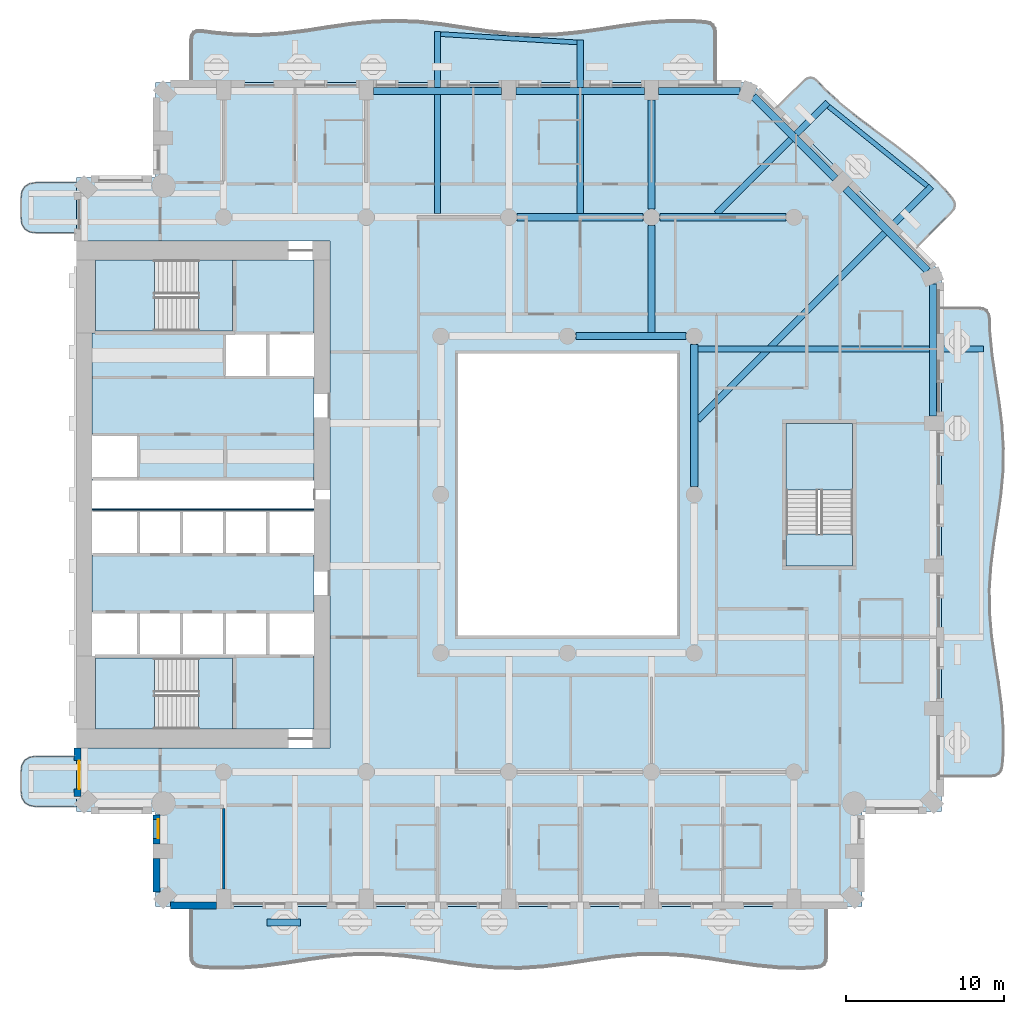
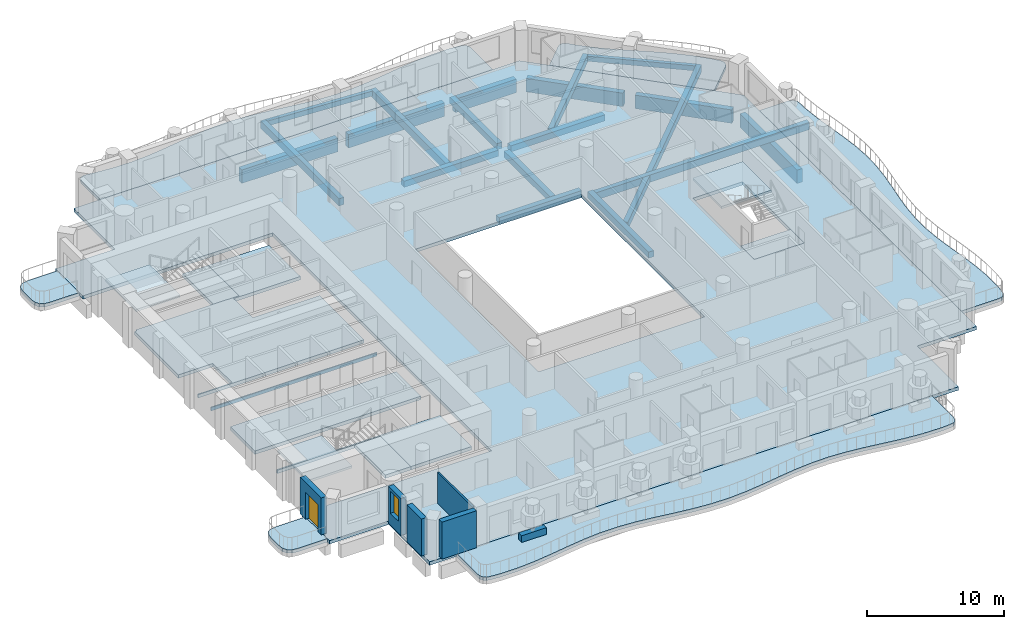
# One storey, part 2 of 19: 19 beams, 17 slabs, 6 walls, 1 door, 1 window, 2 openings, 3 elements without a shape of their own.
"""IFC4 building model written with IfcOpenShell, lengths in metres."""

from ifc_helpers import new_model, si_unit, direction, frame, frame_2d, origin, origin_2d, place, context, subcontext, project, spatial, polyline, rectangle, outline, extrude, material, layer, layer_set, material_profile, profile_set, type_object, element, fill, aggregate, save


model = new_model("IFC4")

# Units and contexts
model_context = context("Model", 3, precision=1e-05, world=origin(), true_north=direction((0.0, 1.0)))
body_context = subcontext(model_context, "Body", "Model", "MODEL_VIEW")
ifc_project = project(units=[si_unit("LENGTHUNIT", "METRE"), si_unit("AREAUNIT", "SQUARE_METRE"), si_unit("VOLUMEUNIT", "CUBIC_METRE"), si_unit("PLANEANGLEUNIT", "RADIAN"), si_unit("MASSUNIT", "GRAM", prefix="KILO")], contexts=[model_context])

# Site, building, storey
site_placement = place(None, origin())
site = spatial("IfcSite", under=ifc_project, at=site_placement, CompositionType="ELEMENT")
building_placement = place(site_placement, origin())
building = spatial("IfcBuilding", under=site, at=building_placement, Name="Cypress Arch Tower", CompositionType="ELEMENT")
storey_placement = place(building_placement, frame((0.0, 0.0, 138.300048828125)))
storey = spatial("IfcBuildingStorey", under=building, at=storey_placement, Name="L30", CompositionType="ELEMENT", Elevation=138.300048828125)

# Beams
ifc_material_1 = material(Name="Concrete C50/60", Category="concrete")
ifc_material_profile_1 = material_profile(ifc_material_1, rectangle(XDim=0.300048828125, YDim=0.449951171875, at=origin_2d()), Name="RC 300x450")
ifc_profile_set_1 = profile_set([ifc_material_profile_1], Name="Concrete C50/60")
beam_type_1 = type_object("IfcBeamType", Name="Balcony edge beam RC 300x450 Concrete C50/60", PredefinedType="BEAM", material=ifc_profile_set_1)
beam_1_placement = place(storey_placement, frame((23.702880859375, 19.473388671875, -0.525146484375), z_axis=(-0.77853414424, 0.627602251631, 0.0), x_axis=(-0.627602251631, -0.77853414424, 0.0)))
element("IfcBeam", 1, at=beam_1_placement, inside=storey, type_object=beam_type_1, Name="Balcony edge beam L30 A07", PredefinedType="BEAM", context=body_context, shape_type="SweptSolid", body=[
    extrude(rectangle(XDim=0.300048828125, YDim=0.449951171875, at=origin_2d()), origin(), (0.0, 0.0, 1.0), 8.0068359375),
])
beam_2_placement = place(storey_placement, frame((1.60009765625, 28.536865234375, -0.525146484375), z_axis=(-0.998164917235, 0.060554091527, 0.0), x_axis=(-0.060554091527, -0.998164917235, 0.0)))
element("IfcBeam", 2, at=beam_2_placement, inside=storey, type_object=beam_type_1, Name="Balcony edge beam L30 A08", PredefinedType="BEAM", context=body_context, shape_type="SweptSolid", body=[
    extrude(rectangle(XDim=0.300048828125, YDim=0.449951171875, at=origin_2d()), origin(), (0.0, 0.0, 1.0), 8.615966796875),
])
ifc_material_2 = material(Name="Concrete C50/60", Category="concrete")
ifc_material_profile_2 = material_profile(ifc_material_2, rectangle(XDim=0.39990234375, YDim=0.64990234375, at=origin_2d()), Name="RC 400x650")
ifc_profile_set_2 = profile_set([ifc_material_profile_2], Name="Concrete C50/60")
beam_type_2 = type_object("IfcBeamType", Name="Cantilever beam RC 400x650 Concrete C50/60", PredefinedType="BEAM", material=ifc_profile_set_2)
beam_3_placement = place(storey_placement, frame((9.22509765625, 9.18798828125, -0.625), z_axis=(1.0, 0.0, 0.0), x_axis=(0.0, 1.0, 0.0)))
element("IfcBeam", 3, at=beam_3_placement, inside=storey, type_object=beam_type_2, Name="Cantilever beam L30 A06 2", PredefinedType="BEAM", context=body_context, shape_type="SweptSolid", body=[
    extrude(rectangle(XDim=0.39990234375, YDim=0.64990234375, at=origin_2d()), origin(), (0.0, 0.0, 1.0), 18.022216796875),
])
beam_4_placement = place(storey_placement, frame((9.22509765625, 4.712890625, -0.625), z_axis=(0.707100919332, 0.707112642993, 0.0), x_axis=(-0.707112642993, 0.707100919332, 0.0)))
element("IfcBeam", 4, at=beam_4_placement, inside=storey, type_object=beam_type_2, Name="Cantilever beam L30 A07 1", PredefinedType="BEAM", context=body_context, shape_type="SweptSolid", body=[
    extrude(rectangle(XDim=0.39990234375, YDim=0.64990234375, at=origin_2d()), origin(), (0.0, 0.0, 1.0), 20.82470703125),
])
beam_5_placement = place(storey_placement, frame((10.412841796875, 17.72509765625, -0.625), z_axis=(0.707106781187, 0.707106781187, 0.0), x_axis=(-0.707106781187, 0.707106781187, 0.0)))
element("IfcBeam", 5, at=beam_5_placement, inside=storey, type_object=beam_type_2, Name="Cantilever beam L30 A07 2", PredefinedType="BEAM", context=body_context, shape_type="SweptSolid", body=[
    extrude(rectangle(XDim=0.39990234375, YDim=0.64990234375, at=origin_2d()), origin(), (0.0, 0.0, 1.0), 9.92919921875),
])
beam_6_placement = place(storey_placement, frame((1.800048828125, 17.72509765625, -0.625), z_axis=(0.0, 1.0, 0.0), x_axis=(-1.0, 0.0, 0.0)))
element("IfcBeam", 6, at=beam_6_placement, inside=storey, type_object=beam_type_2, Name="Cantilever beam L30 A08 1", PredefinedType="BEAM", context=body_context, shape_type="SweptSolid", body=[
    extrude(rectangle(XDim=0.39990234375, YDim=0.64990234375, at=origin_2d()), origin(), (0.0, 0.0, 1.0), 10.9619140625),
])
beam_7_placement = place(storey_placement, frame((-7.199951171875, 17.72509765625, -0.625), z_axis=(0.0, 1.0, 0.0), x_axis=(-1.0, 0.0, 0.0)))
element("IfcBeam", 7, at=beam_7_placement, inside=storey, type_object=beam_type_2, Name="Cantilever beam L30 A08 2", PredefinedType="BEAM", context=body_context, shape_type="SweptSolid", body=[
    extrude(rectangle(XDim=0.39990234375, YDim=0.64990234375, at=origin_2d()), origin(), (0.0, 0.0, 1.0), 11.4833984375),
])
ifc_material_3 = material(Name="Concrete C50/60", Category="concrete")
ifc_material_profile_3 = material_profile(ifc_material_3, rectangle(XDim=0.449951171875, YDim=0.550048828125, at=origin_2d()), Name="RC 450x550")
ifc_profile_set_3 = profile_set([ifc_material_profile_3], Name="Concrete C50/60")
beam_type_3 = type_object("IfcBeamType", Name="Floor beam RC 450x550 Concrete C50/60", PredefinedType="BEAM", material=ifc_profile_set_3)
beam_8_placement = place(storey_placement, frame((9.0, 0.52490234375, -0.574951171875), z_axis=(0.0, 1.0, 0.0), x_axis=(-1.0, 0.0, 0.0)))
element("IfcBeam", 8, at=beam_8_placement, inside=storey, type_object=beam_type_3, Name="Floor beam L30 RB004", PredefinedType="BEAM", context=body_context, shape_type="SweptSolid", body=[
    extrude(rectangle(XDim=0.449951171875, YDim=0.550048828125, at=origin_2d()), origin(), (0.0, 0.0, 1.0), 8.9501953125),
])
beam_9_placement = place(storey_placement, frame((1.52490234375, 10.0, -0.574951171875), z_axis=(1.0, 0.0, 0.0), x_axis=(0.0, 1.0, 0.0)))
element("IfcBeam", 9, at=beam_9_placement, inside=storey, type_object=beam_type_3, Name="Floor beam L30 RB008", PredefinedType="BEAM", context=body_context, shape_type="SweptSolid", body=[
    extrude(rectangle(XDim=0.449951171875, YDim=0.550048828125, at=origin_2d()), origin(), (0.0, 0.0, 1.0), 6.9501953125),
])
for number, where, z_axis, x_axis, name in (
    (10, (-2.175048828125, 17.5, -0.574951171875), (1.0, 0.0, 0.0), (0.0, 1.0, 0.0), "Floor beam L30 FB017"),
    (11, (6.824951171875, 17.5, -0.574951171875), (1.0, 0.0, 0.0), (0.0, 1.0, 0.0), "Floor beam L30 FB018"),
):
    element("IfcBeam", number, at=place(storey_placement, frame(where, z_axis=z_axis, x_axis=x_axis)), inside=storey, type_object=beam_type_3, Name=name, PredefinedType="BEAM", context=body_context, shape_type="SweptSolid", body=[
        extrude(rectangle(XDim=0.449951171875, YDim=0.550048828125, at=origin_2d()), origin(), (0.0, 0.0, 1.0), 7.949951171875),
    ])
beam_10_placement = place(storey_placement, frame((6.300048828125, 10.22509765625, -0.574951171875), z_axis=(0.0, 1.0, 0.0), x_axis=(-1.0, 0.0, 0.0)))
element("IfcBeam", 12, at=beam_10_placement, inside=storey, type_object=beam_type_3, Name="Floor beam L30 FB032", PredefinedType="BEAM", context=body_context, shape_type="SweptSolid", body=[
    extrude(rectangle(XDim=0.449951171875, YDim=0.550048828125, at=origin_2d()), origin(), (0.0, 0.0, 1.0), 6.75),
])
beam_11_placement = place(storey_placement, frame((6.300048828125, 18.02490234375, -0.574951171875), z_axis=(0.0, 1.0, 0.0), x_axis=(-1.0, 0.0, 0.0)))
element("IfcBeam", 13, at=beam_11_placement, inside=storey, type_object=beam_type_3, Name="Floor beam L30 FB033", PredefinedType="BEAM", context=body_context, shape_type="SweptSolid", body=[
    extrude(rectangle(XDim=0.449951171875, YDim=0.550048828125, at=origin_2d()), origin(), (0.0, 0.0, 1.0), 6.875),
])
ifc_material_4 = material(Name="Concrete C50/60", Category="concrete")
ifc_material_profile_4 = material_profile(ifc_material_4, rectangle(XDim=0.449951171875, YDim=1.199951171875, at=origin_2d()), Name="RC 450x1200")
ifc_profile_set_4 = profile_set([ifc_material_profile_4], Name="Concrete C50/60")
beam_type_4 = type_object("IfcBeamType", Name="Spandrel beam RC 450x1200 Concrete C50/60", PredefinedType="SPANDREL", material=ifc_profile_set_4)
beam_12_placement = place(storey_placement, frame((24.074951171875, 4.949951171875, -1.550048828125), z_axis=(0.0, 1.0, 0.0), x_axis=(-1.0, 0.0, 0.0)))
element("IfcBeam", 14, at=beam_12_placement, inside=storey, type_object=beam_type_4, Name="Spandrel beam L30 BA06-3", PredefinedType="SPANDREL", context=body_context, shape_type="SweptSolid", body=[
    extrude(rectangle(XDim=0.449951171875, YDim=1.199951171875, at=origin_2d()), origin(), (0.0, 0.0, 1.0), 8.345458984375),
])
for number, where, z_axis, x_axis, name in (
    (15, (23.73046875, 14.126953125, -1.550048828125), (-0.707106781187, 0.707106781187, 0.0), (-0.707106781187, -0.707106781187, 0.0), "Spandrel beam L30 BA07-0"),
    (16, (17.91064453125, 19.947021484375, -1.550048828125), (-0.707106781187, 0.707106781187, 0.0), (-0.707106781187, -0.707106781187, 0.0), "Spandrel beam L30 BA07-1"),
):
    element("IfcBeam", number, at=place(storey_placement, frame(where, z_axis=z_axis, x_axis=x_axis)), inside=storey, type_object=beam_type_4, Name=name, PredefinedType="SPANDREL", context=body_context, shape_type="SweptSolid", body=[
        extrude(rectangle(XDim=0.449951171875, YDim=1.199951171875, at=origin_2d()), origin(), (0.0, 0.0, 1.0), 7.330810546875),
    ])
beam_13_placement = place(storey_placement, frame((11.8955078125, 25.47509765625, -1.550048828125), z_axis=(-1.0, 0.0, 0.0), x_axis=(0.0, -1.0, 0.0)))
element("IfcBeam", 17, at=beam_13_placement, inside=storey, type_object=beam_type_4, Name="Spandrel beam L30 BA08-0", PredefinedType="SPANDREL", context=body_context, shape_type="SweptSolid", body=[
    extrude(rectangle(XDim=0.449951171875, YDim=1.199951171875, at=origin_2d()), origin(), (0.0, 0.0, 1.0), 5.1455078125),
])
for number, where, z_axis, x_axis, name in (
    (18, (5.85009765625, 25.47509765625, -1.550048828125), (-1.0, 0.0, 0.0), (0.0, -1.0, 0.0), "Spandrel beam L30 BA08-1"),
    (19, (-3.14990234375, 25.47509765625, -1.550048828125), (-1.0, 0.0, 0.0), (0.0, -1.0, 0.0), "Spandrel beam L30 BA08-2"),
):
    element("IfcBeam", number, at=place(storey_placement, frame(where, z_axis=z_axis, x_axis=x_axis)), inside=storey, type_object=beam_type_4, Name=name, PredefinedType="SPANDREL", context=body_context, shape_type="SweptSolid", body=[
        extrude(rectangle(XDim=0.449951171875, YDim=1.199951171875, at=origin_2d()), origin(), (0.0, 0.0, 1.0), 8.10009765625),
    ])

# Slabs
ifc_material_5 = material(Name="Concrete C40/50", Category="concrete")
ifc_layer_1 = layer(ifc_material_5, 0.300048828125)
ifc_layer_set_1 = layer_set([ifc_layer_1], Name="Balcony slab BS300")
slab_type_1 = type_object("IfcSlabType", Name="Balcony slab BS300", PredefinedType="USERDEFINED", material=ifc_layer_set_1)
slab_1_placement = place(storey_placement, frame((0.0, 0.0, -0.300048828125)))
element("IfcSlab", 20, at=slab_1_placement, inside=storey, type_object=slab_type_1, Name="Balcony slab L30-A00W0", ObjectType="BALCONY SLAB", PredefinedType="USERDEFINED", context=body_context, shape_type="SweptSolid", body=[
    extrude(outline(polyline([(-30.0, 19.699951171875), (-32.5, 19.699951171875), (-32.9375, 19.637451171875), (-33.25, 19.449951171875), (-33.4375, 19.137451171875), (-33.5, 18.699951171875), (-33.5, 17.5), (-33.4375, 17.0625), (-33.25, 16.75), (-32.9375, 16.5625), (-32.5, 16.5), (-30.0, 16.5), (-30.0, 19.699951171875)])), origin(), (0.0, 0.0, 1.0), 0.300048828125),
])
slab_2_placement = place(storey_placement, frame((0.0, 0.0, -0.300048828125)))
element("IfcSlab", 21, at=slab_2_placement, inside=storey, type_object=slab_type_1, Name="Balcony slab L30-A00W1", ObjectType="BALCONY SLAB", PredefinedType="USERDEFINED", context=body_context, shape_type="SweptSolid", body=[
    extrude(outline(polyline([(-30.0, -16.5), (-32.5, -16.5), (-32.9375, -16.5625), (-33.25, -16.75), (-33.4375, -17.0625), (-33.5, -17.5), (-33.5, -18.699951171875), (-33.4375, -19.137451171875), (-33.25, -19.449951171875), (-32.9375, -19.637451171875), (-32.5, -19.699951171875), (-30.0, -19.699951171875), (-30.0, -16.5)])), origin(), (0.0, 0.0, 1.0), 0.300048828125),
])
slab_3_placement = place(storey_placement, frame((0.0, 0.0, -0.300048828125)))
element("IfcSlab", 22, at=slab_3_placement, inside=storey, type_object=slab_type_1, Name="Balcony slab L30-A03", ObjectType="BALCONY SLAB", PredefinedType="USERDEFINED", context=body_context, shape_type="SweptSolid", body=[
    extrude(outline(polyline([(-22.75, -26.0), (-22.75, -29.097900390625), (-22.708251953125, -29.394287109375), (-22.5830078125, -29.613525390625), (-22.3740234375, -29.755615234375), (-22.081787109375, -29.8203125), (-21.264892578125, -29.884033203125), (-19.779541015625, -29.8857421875), (-18.29443359375, -29.773193359375), (-16.809326171875, -29.575439453125), (-15.323974609375, -29.3447265625), (-13.8388671875, -29.141845703125), (-12.353759765625, -29.019775390625), (-10.868408203125, -29.010986328125), (-9.38330078125, -29.117431640625), (-7.898193359375, -29.311279296875), (-6.412841796875, -29.54150390625), (-4.927734375, -29.747802734375), (-3.442626953125, -29.8759765625), (-1.95751953125, -29.891845703125), (-0.47216796875, -29.7919921875), (1.012939453125, -29.60205078125), (2.498046875, -29.3720703125), (3.9833984375, -29.162841796875), (5.468505859375, -29.02880859375), (6.95361328125, -29.005615234375), (8.43896484375, -29.09912109375), (9.924072265625, -29.284912109375), (11.4091796875, -29.51416015625), (12.89453125, -29.726318359375), (14.379638671875, -29.865966796875), (15.86474609375, -29.896240234375), (16.681640625, -29.8486328125), (16.97412109375, -29.78955078125), (17.182861328125, -29.65185546875), (17.308349609375, -29.435302734375), (17.35009765625, -29.139892578125), (17.35009765625, -26.0), (-22.75, -26.0)])), origin(), (0.0, 0.0, 1.0), 0.300048828125),
])
slab_4_placement = place(storey_placement, frame((0.0, 0.0, -0.300048828125)))
element("IfcSlab", 23, at=slab_4_placement, inside=storey, type_object=slab_type_1, Name="Balcony slab L30-A06", ObjectType="BALCONY SLAB", PredefinedType="USERDEFINED", context=body_context, shape_type="SweptSolid", body=[
    extrude(outline(polyline([(24.60009765625, -17.75), (27.702392578125, -17.75), (27.996826171875, -17.70849609375), (28.21484375, -17.583984375), (28.355712890625, -17.376708984375), (28.420166015625, -17.086181640625), (28.483642578125, -16.27490234375), (28.486572265625, -14.800048828125), (28.37646484375, -13.324951171875), (28.181640625, -11.85009765625), (27.95263671875, -10.375), (27.748779296875, -8.89990234375), (27.623291015625, -7.425048828125), (27.608154296875, -5.949951171875), (27.707763671875, -4.47509765625), (27.89599609375, -3.0), (28.124267578125, -1.52490234375), (28.333251953125, -0.050048828125), (28.46875, 1.425048828125), (28.49560546875, 2.89990234375), (28.406982421875, 4.375), (28.225830078125, 5.85009765625), (27.9990234375, 7.324951171875), (27.785400390625, 8.800048828125), (27.640625, 10.27490234375), (27.619140625, 11.086181640625), (27.570068359375, 11.376708984375), (27.440185546875, 11.583984375), (27.229248046875, 11.70849609375), (26.937744140625, 11.75), (24.60009765625, 11.75), (24.60009765625, -17.75)])), origin(), (0.0, 0.0, 1.0), 0.300048828125),
])
slab_5_placement = place(storey_placement, frame((0.0, 0.0, -0.300048828125)))
element("IfcSlab", 24, at=slab_5_placement, inside=storey, type_object=slab_type_1, Name="Balcony slab L30-A07", ObjectType="BALCONY SLAB", PredefinedType="USERDEFINED", context=body_context, shape_type="SweptSolid", body=[
    extrude(outline(polyline([(23.009033203125, 15.591064453125), (25.231201171875, 17.813232421875), (25.3994140625, 18.036376953125), (25.461669921875, 18.263916015625), (25.417724609375, 18.495849609375), (25.26806640625, 18.73193359375), (24.7724609375, 19.314208984375), (23.802001953125, 20.302978515625), (22.759521484375, 21.22021484375), (21.65966796875, 22.079833984375), (20.52978515625, 22.90966796875), (19.404541015625, 23.743896484375), (18.3173828125, 24.6162109375), (17.292724609375, 25.551025390625), (16.76904296875, 26.105224609375), (16.55419921875, 26.276123046875), (16.337646484375, 26.335205078125), (16.119384765625, 26.2822265625), (15.899658203125, 26.11767578125), (14.19091796875, 24.408935546875), (23.009033203125, 15.591064453125)])), origin(), (0.0, 0.0, 1.0), 0.300048828125),
])
slab_6_placement = place(storey_placement, frame((0.0, 0.0, -0.300048828125)))
element("IfcSlab", 25, at=slab_6_placement, inside=storey, type_object=slab_type_1, Name="Balcony slab L30-A08", ObjectType="BALCONY SLAB", PredefinedType="USERDEFINED", context=body_context, shape_type="SweptSolid", body=[
    extrude(outline(polyline([(10.35009765625, 26.0), (10.35009765625, 29.11865234375), (10.3095703125, 29.406005859375), (10.18798828125, 29.61865234375), (9.98583984375, 29.75634765625), (9.702392578125, 29.8193359375), (8.910888671875, 29.882080078125), (7.4716796875, 29.88916015625), (6.03271484375, 29.787841796875), (4.593505859375, 29.60302734375), (3.154296875, 29.38037109375), (1.71533203125, 29.1748046875), (0.276123046875, 29.037353515625), (-1.1630859375, 29.001953125), (-2.602294921875, 29.0771484375), (-4.041259765625, 29.244384765625), (-5.48046875, 29.462646484375), (-6.919677734375, 29.677734375), (-8.358642578125, 29.83642578125), (-9.7978515625, 29.899658203125), (-11.237060546875, 29.851806640625), (-12.676025390625, 29.704833984375), (-14.115234375, 29.49462890625), (-15.554443359375, 29.2734375), (-16.993408203125, 29.095947265625), (-18.4326171875, 29.005859375), (-19.871826171875, 29.025634765625), (-21.310791015625, 29.150146484375), (-22.102294921875, 29.25927734375), (-22.3857421875, 29.257568359375), (-22.588134765625, 29.1630859375), (-22.70947265625, 28.975341796875), (-22.75, 28.695068359375), (-22.75, 26.0), (10.35009765625, 26.0)])), origin(), (0.0, 0.0, 1.0), 0.300048828125),
])
ifc_material_6 = material(Name="Concrete C40/50", Category="concrete")
ifc_layer_2 = layer(ifc_material_6, 0.300048828125)
ifc_layer_set_2 = layer_set([ifc_layer_2], Name="Core floor CF300")
slab_type_2 = type_object("IfcSlabType", Name="Core floor CF300", PredefinedType="FLOOR", material=ifc_layer_set_2)
slab_7_placement = place(storey_placement, frame((0.0, 0.0, -0.300048828125)))
element("IfcSlab", 26, at=slab_7_placement, inside=storey, type_object=slab_type_2, Name="Core floor", PredefinedType="FLOOR", context=body_context, shape_type="SweptSolid", body=[
    extrude(outline(polyline([(-20.125, -14.800048828125), (-15.0, -14.800048828125), (-15.0, -10.199951171875), (-17.919921875, -10.199951171875), (-20.639892578125, -10.199951171875), (-23.360107421875, -10.199951171875), (-26.080078125, -10.199951171875), (-28.800048828125, -10.199951171875), (-28.800048828125, -10.324951171875), (-22.27490234375, -10.324951171875), (-20.125, -10.324951171875), (-20.125, -14.800048828125)])), origin(), (0.0, 0.0, 1.0), 0.300048828125),
])
slab_8_placement = place(storey_placement, frame((0.0, 0.0, -0.300048828125)))
element("IfcSlab", 27, at=slab_8_placement, inside=storey, type_object=slab_type_2, Name="Core floor", PredefinedType="FLOOR", context=body_context, shape_type="SweptSolid", body=[
    extrude(outline(polyline([(-29.0, -3.800048828125), (-29.0, -7.39990234375), (-26.080078125, -7.39990234375), (-23.360107421875, -7.39990234375), (-20.639892578125, -7.39990234375), (-17.919921875, -7.39990234375), (-15.0, -7.39990234375), (-15.0, -3.800048828125), (-17.919921875, -3.800048828125), (-20.639892578125, -3.800048828125), (-23.360107421875, -3.800048828125), (-26.080078125, -3.800048828125), (-29.0, -3.800048828125)])), origin(), (0.0, 0.0, 1.0), 0.300048828125),
])
slab_9_placement = place(storey_placement, frame((0.0, 0.0, -0.300048828125)))
element("IfcSlab", 28, at=slab_9_placement, inside=storey, type_object=slab_type_2, Name="Core floor", PredefinedType="FLOOR", context=body_context, shape_type="SweptSolid", body=[
    extrude(outline(polyline([(-29.0, 3.800048828125), (-29.0, 10.199951171875), (-28.800048828125, 10.199951171875), (-28.800048828125, 10.324951171875), (-28.60009765625, 10.324951171875), (-22.27490234375, 10.324951171875), (-20.125, 10.324951171875), (-20.125, 14.800048828125), (-15.39990234375, 14.800048828125), (-15.0, 14.800048828125), (-15.0, 10.199951171875), (-15.39990234375, 10.199951171875), (-17.919921875, 10.199951171875), (-20.639892578125, 10.199951171875), (-20.639892578125, 7.39990234375), (-17.919921875, 7.39990234375), (-15.39990234375, 7.39990234375), (-15.0, 7.39990234375), (-15.0, 0.89990234375), (-28.60009765625, 0.89990234375), (-29.0, 0.89990234375), (-29.0, 1.0), (-28.60009765625, 1.0), (-26.080078125, 1.0), (-26.080078125, 3.800048828125), (-28.60009765625, 3.800048828125), (-29.0, 3.800048828125)])), origin(), (0.0, 0.0, 1.0), 0.300048828125),
])
slab_10_placement = place(storey_placement, frame((0.0, 0.0, -0.300048828125)))
element("IfcSlab", 29, at=slab_10_placement, inside=storey, type_object=slab_type_2, Name="Core floor", PredefinedType="FLOOR", context=body_context, shape_type="SweptSolid", body=[
    extrude(outline(polyline([(-22.27490234375, -10.324951171875), (-22.27490234375, -14.800048828125), (-20.125, -14.800048828125), (-20.125, -10.324951171875), (-22.27490234375, -10.324951171875)])), origin(), (0.0, 0.0, 1.0), 0.300048828125),
])
slab_11_placement = place(storey_placement, frame((0.0, 0.0, -0.300048828125)))
element("IfcSlab", 30, at=slab_11_placement, inside=storey, type_object=slab_type_2, Name="Core floor", PredefinedType="FLOOR", context=body_context, shape_type="SweptSolid", body=[
    extrude(outline(polyline([(-20.125, 14.800048828125), (-22.27490234375, 14.800048828125), (-22.27490234375, 10.324951171875), (-20.125, 10.324951171875), (-20.125, 14.800048828125)])), origin(), (0.0, 0.0, 1.0), 0.300048828125),
])
slab_12_placement = place(storey_placement, frame((0.0, 0.0, -0.300048828125)))
element("IfcSlab", 31, at=slab_12_placement, inside=storey, type_object=slab_type_2, Name="Stair floor landing", PredefinedType="FLOOR", context=body_context, shape_type="SweptSolid", body=[
    extrude(outline(polyline([(19.0, -4.5), (19.0, -2.5), (14.800048828125, -2.5), (14.800048828125, -4.5), (19.0, -4.5)])), origin(), (0.0, 0.0, 1.0), 0.300048828125),
])
slab_13_placement = place(storey_placement, frame((0.0, 0.0, -0.300048828125)))
element("IfcSlab", 32, at=slab_13_placement, inside=storey, type_object=slab_type_2, Name="Core floor", PredefinedType="FLOOR", context=body_context, shape_type="SweptSolid", body=[
    extrude(outline(polyline([(-20.639892578125, -1.0), (-23.360107421875, -1.0), (-26.080078125, -1.0), (-28.60009765625, -1.0), (-29.0, -1.0), (-29.0, -0.89990234375), (-28.60009765625, -0.89990234375), (-15.39990234375, -0.89990234375), (-15.0, -0.89990234375), (-15.0, -1.0), (-15.39990234375, -1.0), (-17.919921875, -1.0), (-20.639892578125, -1.0)])), origin(), (0.0, 0.0, 1.0), 0.300048828125),
])
ifc_material_7 = material(Name="Concrete C40/50", Category="concrete")
ifc_layer_3 = layer(ifc_material_7, 0.300048828125)
ifc_layer_set_3 = layer_set([ifc_layer_3], Name="PT flat slab 300 Concrete C40/50")
slab_type_3 = type_object("IfcSlabType", Name="PT flat slab 300 Concrete C40/50", PredefinedType="FLOOR", material=ifc_layer_set_3)
slab_14_placement = place(storey_placement, frame((0.0, 0.0, -0.300048828125)))
element("IfcSlab", 33, at=slab_14_placement, inside=storey, type_object=slab_type_3, Name="Floor slab L30", PredefinedType="FLOOR", context=body_context, shape_type="SweptSolid", body=[
    extrude(outline(polyline([(-30.0, 20.0), (-25.0, 20.0), (-25.0, 26.0), (12.60009765625, 26.0), (24.60009765625, 14.0), (24.60009765625, -20.0), (19.60009765625, -20.0), (19.60009765625, -26.0), (-25.0, -26.0), (-25.0, -20.0), (-30.0, -20.0), (-30.0, -16.0), (-14.0, -16.0), (-14.0, 16.0), (-30.0, 16.0), (-30.0, 20.0)]), holes=[polyline([(-6.0, -9.0), (8.0, -9.0), (8.0, 9.0), (-6.0, 9.0), (-6.0, -9.0)]), polyline([(14.800048828125, -4.5), (19.0, -4.5), (19.0, 4.5), (14.800048828125, 4.5), (14.800048828125, -4.5)])]), origin(), (0.0, 0.0, 1.0), 0.300048828125),
])

# Stair, slab
ifc_material_8 = material(Name="Concrete C40/50", Category="concrete")
stair_type_1 = type_object("IfcStairType", Name="Exit stair ES1636-215", PredefinedType="HALF_TURN_STAIR", material=ifc_material_8)
stair_1_placement = place(storey_placement, origin())
stair_1 = element("IfcStair", 34, at=stair_1_placement, inside=storey, type_object=stair_type_1, Name="L30 Exit stair A", PredefinedType="HALF_TURN_STAIR")
ifc_material_9 = material(Name="Concrete C40/50", Category="concrete")
ifc_layer_4 = layer(ifc_material_9, 0.199951171875)
ifc_layer_set_4 = layer_set([ifc_layer_4], Name="Stair landing SL200")
slab_type_4 = type_object("IfcSlabType", Name="Stair landing SL200", PredefinedType="LANDING", material=ifc_layer_set_4)
slab_15_placement = place(storey_placement, frame((0.0, 0.0, 1.599853515625)))
slab_15 = element("IfcSlab", 35, at=slab_15_placement, type_object=slab_type_4, Name="A landing 1", PredefinedType="LANDING", context=body_context, shape_type="SweptSolid", body=[
    extrude(outline(polyline([(-25.074951171875, -10.324951171875), (-28.800048828125, -10.324951171875), (-28.800048828125, -14.800048828125), (-25.074951171875, -14.800048828125), (-25.074951171875, -10.324951171875)])), origin(), (0.0, 0.0, 1.0), 0.2001953125),
])
aggregate(stair_1, [slab_15])

stair_2_placement = place(storey_placement, origin())
stair_2 = element("IfcStair", 36, at=stair_2_placement, inside=storey, type_object=stair_type_1, Name="L30 Exit stair B", PredefinedType="HALF_TURN_STAIR")
slab_16_placement = place(storey_placement, frame((0.0, 0.0, 1.599853515625)))
slab_16 = element("IfcSlab", 37, at=slab_16_placement, type_object=slab_type_4, Name="B landing 1", PredefinedType="LANDING", context=body_context, shape_type="SweptSolid", body=[
    extrude(outline(polyline([(-25.074951171875, 14.800048828125), (-28.800048828125, 14.800048828125), (-28.800048828125, 10.324951171875), (-25.074951171875, 10.324951171875), (-25.074951171875, 14.800048828125)])), origin(), (0.0, 0.0, 1.0), 0.2001953125),
])
aggregate(stair_2, [slab_16])

ifc_material_10 = material(Name="Concrete C40/50", Category="concrete")
stair_type_2 = type_object("IfcStairType", Name="Exit stair ES1636-200", PredefinedType="HALF_TURN_STAIR", material=ifc_material_10)
stair_3_placement = place(storey_placement, origin())
stair_3 = element("IfcStair", 38, at=stair_3_placement, inside=storey, type_object=stair_type_2, Name="L30 Exit stair C", PredefinedType="HALF_TURN_STAIR")
slab_17_placement = place(storey_placement, frame((0.0, 0.0, 1.599853515625)))
slab_17 = element("IfcSlab", 39, at=slab_17_placement, type_object=slab_type_4, Name="C landing 1", PredefinedType="LANDING", context=body_context, shape_type="SweptSolid", body=[
    extrude(outline(polyline([(19.0, 0.300048828125), (19.0, 4.5), (14.800048828125, 4.5), (14.800048828125, 0.300048828125), (19.0, 0.300048828125)])), origin(), (0.0, 0.0, 1.0), 0.2001953125),
])
aggregate(stair_3, [slab_17])

# Wall
ifc_material_11 = material(Name="Concrete C40/50, waterproofed", Category="concrete")
ifc_layer_5 = layer(ifc_material_11, 0.449951171875)
ifc_layer_set_5 = layer_set([ifc_layer_5], Name="Balcony planter wall PW450")
wall_type_1 = type_object("IfcWallType", Name="Balcony planter wall PW450", PredefinedType="SOLIDWALL", material=ifc_layer_set_5)
wall_1_placement = place(storey_placement, frame((-17.949951171875, -27.0, 0.0), z_axis=(0.0, 0.0, 1.0), x_axis=(1.0, 0.0, 0.0)))
element("IfcWall", 40, at=wall_1_placement, inside=storey, type_object=wall_type_1, Name="Balcony planter wall L30-A03.1", PredefinedType="SOLIDWALL", context=body_context, shape_type="SweptSolid", body=[
    extrude(rectangle(XDim=2.099853515625, YDim=0.449951171875, at=frame_2d((1.0498046875, 0.0))), origin(), (0.0, 0.0, 1.0), 0.599853515625),
])

# Wall, opening, door
ifc_material_12 = material(Name="Brick (red buff blend)", Category="masonry")
ifc_layer_6 = layer(ifc_material_12, 0.449951171875)
ifc_layer_set_6 = layer_set([ifc_layer_6], Name="Brick pier and spandrel wall BW450")
wall_type_2 = type_object("IfcWallType", Name="Brick pier and spandrel wall BW450", PredefinedType="SOLIDWALL", material=ifc_layer_set_6)
wall_2_placement = place(storey_placement, frame((-29.925048828125, -16.0, 0.0), z_axis=(0.0, 0.0, 1.0), x_axis=(0.0, -1.0, 0.0)))
wall_2 = element("IfcWall", 41, at=wall_2_placement, inside=storey, type_object=wall_type_2, Name="Brick wall L30 A00.0.1", PredefinedType="SOLIDWALL", context=body_context, shape_type="SweptSolid", body=[
    extrude(rectangle(XDim=3.063720703125, YDim=0.449951171875, at=frame_2d((1.53173828125, 0.0))), origin(), (0.0, 0.0, 1.0), 3.300048828125),
])
opening_1_placement = place(wall_2_placement, frame((0.78173828125, 0.0, 0.0)))
opening_1 = element("IfcOpeningElement", 42, at=opening_1_placement, cuts=wall_2, Name="Opening D-L30-A00.0.1.9", PredefinedType="OPENING", context=body_context, shape_type="SweptSolid", body=[
    extrude(rectangle(XDim=1.800048828125, YDim=2.39990234375, at=frame_2d((0.89990234375, 1.199951171875))), frame((0.0, 0.23486328125, 0.0), z_axis=(0.0, -1.0, 0.0), x_axis=(1.0, 0.0, 0.0)), (0.0, 0.0, 1.0), 0.469970703125),
])
ifc_material_13 = material(Name="Anodised aluminium, bronze finish, laminated low-emissivity double glazing, large-missile impact rated", Category="aluminium")
door_type = type_object("IfcDoorType", Name="Balcony sliding door 1800x2400", OperationType="SLIDING_TO_LEFT", PredefinedType="DOOR", material=ifc_material_13)
door_placement = place(opening_1_placement, origin())
door = element("IfcDoor", 43, at=door_placement, inside=storey, type_object=door_type, Name="Balcony door L30 A00.0.1.9", OperationType="SLIDING_TO_LEFT", OverallHeight=2.39990234375, OverallWidth=1.800048828125, PredefinedType="DOOR", context=body_context, shape_type="SweptSolid", body=[
    extrude(rectangle(XDim=1.800048828125, YDim=2.39990234375, at=frame_2d((0.89990234375, 1.199951171875))), frame((0.0, 0.1298828125, 0.0), z_axis=(0.0, -1.0, 0.0), x_axis=(1.0, 0.0, 0.0)), (0.0, 0.0, 1.0), 0.050048828125),
])
fill(opening_1, door)

# Wall, opening, window
wall_3_placement = place(storey_placement, frame((-24.925048828125, -20.20703125, 0.0), z_axis=(0.0, 0.0, 1.0), x_axis=(0.0, -1.0, 0.0)))
wall_3 = element("IfcWall", 44, at=wall_3_placement, inside=storey, type_object=wall_type_2, Name="Brick wall L30 A02.0", PredefinedType="SOLIDWALL", context=body_context, shape_type="SweptSolid", body=[
    extrude(rectangle(XDim=1.843017578125, YDim=0.449951171875, at=frame_2d((0.92138671875, 0.0))), origin(), (0.0, 0.0, 1.0), 3.300048828125),
])
opening_2_placement = place(wall_3_placement, frame((0.29296875, 0.0, 1.050048828125)))
opening_2 = element("IfcOpeningElement", 45, at=opening_2_placement, cuts=wall_3, Name="Opening W120H", PredefinedType="OPENING", context=body_context, shape_type="SweptSolid", body=[
    extrude(rectangle(XDim=1.199951171875, YDim=2.0, at=frame_2d((0.60009765625, 1.0))), frame((0.0, 0.23486328125, 0.0), z_axis=(0.0, -1.0, 0.0), x_axis=(1.0, 0.0, 0.0)), (0.0, 0.0, 1.0), 0.469970703125),
])
ifc_material_14 = material(Name="Anodised aluminium, bronze finish, clear low-emissivity double glazing", Category="aluminium")
window_type = type_object("IfcWindowType", Name="Window Hotel 1200x2000", PartitioningType="SINGLE_PANEL", PredefinedType="WINDOW", material=ifc_material_14)
window_placement = place(opening_2_placement, origin())
window = element("IfcWindow", 46, at=window_placement, inside=storey, type_object=window_type, Name="Window L30 A02.0.1", OverallHeight=2.0, OverallWidth=1.199951171875, PartitioningType="SINGLE_PANEL", PredefinedType="WINDOW", context=body_context, shape_type="SweptSolid", body=[
    extrude(rectangle(XDim=1.199951171875, YDim=2.0, at=frame_2d((0.60009765625, 1.0))), frame((0.0, 0.135009765625, 0.0), z_axis=(0.0, -1.0, 0.0), x_axis=(1.0, 0.0, 0.0)), (0.0, 0.0, 1.0), 0.06005859375),
])
fill(opening_2, window)

# Walls
wall_4_placement = place(storey_placement, frame((-24.925048828125, -22.949951171875, 0.0), z_axis=(0.0, 0.0, 1.0), x_axis=(0.0, -1.0, 0.0)))
element("IfcWall", 47, at=wall_4_placement, inside=storey, type_object=wall_type_2, Name="Brick wall L30 A02.1", PredefinedType="SOLIDWALL", context=body_context, shape_type="SweptSolid", body=[
    extrude(rectangle(XDim=2.11376953125, YDim=0.449951171875, at=frame_2d((1.056884765625, 0.0))), origin(), (0.0, 0.0, 1.0), 3.300048828125),
])
wall_5_placement = place(storey_placement, frame((-24.063720703125, -25.925048828125, 0.0), z_axis=(0.0, 0.0, 1.0), x_axis=(1.0, 0.0, 0.0)))
element("IfcWall", 48, at=wall_5_placement, inside=storey, type_object=wall_type_2, Name="Brick wall L30 A03.0", PredefinedType="SOLIDWALL", context=body_context, shape_type="SweptSolid", body=[
    extrude(rectangle(XDim=2.913818359375, YDim=0.449951171875, at=frame_2d((1.45703125, 0.0))), origin(), (0.0, 0.0, 1.0), 3.300048828125),
])
ifc_material_15 = material(Name="Blockwork, plastered both sides", Category="masonry")
ifc_layer_7 = layer(ifc_material_15, 0.14990234375)
ifc_layer_set_7 = layer_set([ifc_layer_7], Name="Partition PW150")
wall_type_3 = type_object("IfcWallType", Name="Partition PW150", PredefinedType="PARTITIONING", material=ifc_layer_set_7)
wall_6_placement = place(storey_placement, frame((-20.699951171875, -24.89990234375, 0.0), z_axis=(0.0, 0.0, 1.0), x_axis=(0.0, 1.0, 0.0)))
element("IfcWall", 49, at=wall_6_placement, inside=storey, type_object=wall_type_3, Name="Partition", PredefinedType="PARTITIONING", context=body_context, shape_type="SweptSolid", body=[
    extrude(rectangle(XDim=5.099853515625, YDim=0.14990234375, at=frame_2d((2.5498046875, 0.0))), origin(), (0.0, 0.0, 1.0), 2.75),
])

save(model, "model.ifc")
